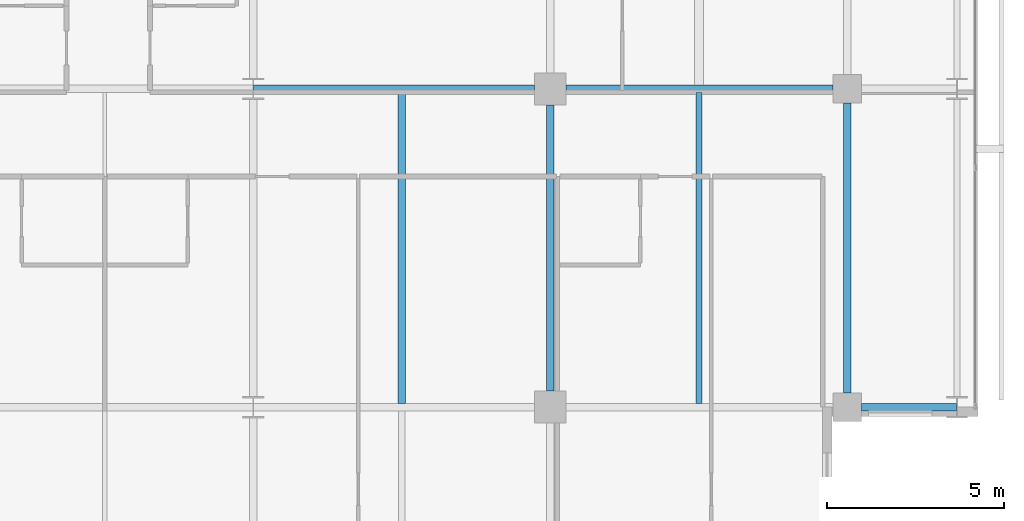
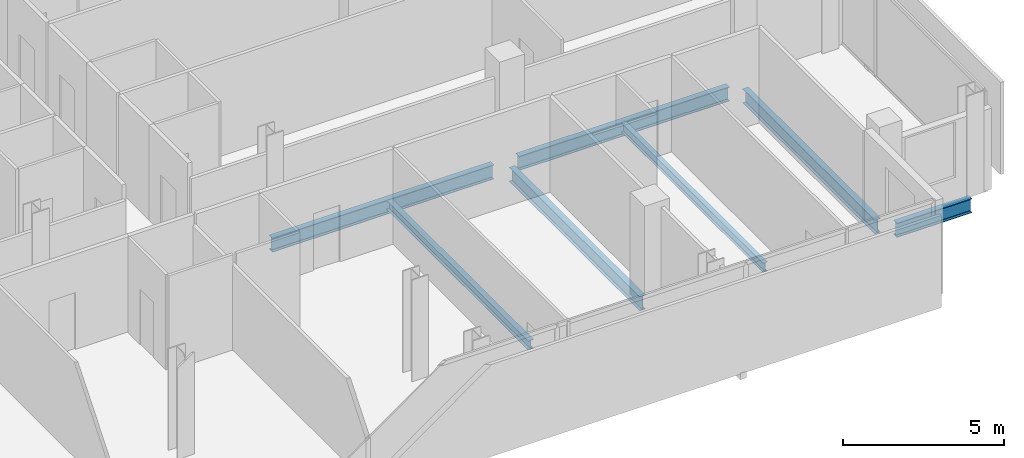
# One storey, part 14 of 34: 7 beams.
"""IFC4 building model written with IfcOpenShell, lengths in metres."""

from ifc_helpers import new_model, si_unit, direction, frame, origin, origin_2d, place, context, subcontext, project, spatial, i_section, extrude, material, material_profile, profile_set, type_object, element, save


model = new_model("IFC4")

# Units and contexts
model_context = context("Model", 3, precision=1e-05, world=origin(), true_north=direction((0.0, 1.0)))
body_context = subcontext(model_context, "Body", "Model", "MODEL_VIEW")
ifc_project = project(units=[si_unit("LENGTHUNIT", "METRE"), si_unit("AREAUNIT", "SQUARE_METRE"), si_unit("VOLUMEUNIT", "CUBIC_METRE"), si_unit("PLANEANGLEUNIT", "RADIAN"), si_unit("MASSUNIT", "GRAM", prefix="KILO")], contexts=[model_context])

# Site, building, storey
site_placement = place(None, origin())
site = spatial("IfcSite", under=ifc_project, at=site_placement, CompositionType="ELEMENT")
building_placement = place(site_placement, origin())
building = spatial("IfcBuilding", under=site, at=building_placement, Name="Maruvema Waterfront Hotel and Observation Tower", CompositionType="ELEMENT")
storey_placement = place(building_placement, frame((0.0, 0.0, 208.25)))
storey = spatial("IfcBuildingStorey", under=building, at=storey_placement, Name="L51", CompositionType="ELEMENT", Elevation=208.25)

# Beams
ifc_material_1 = material(Name="Steel ASTM A572 Grade 50", Category="steel")
ifc_material_profile_1 = material_profile(ifc_material_1, i_section(OverallWidth=0.2109375, OverallDepth=0.5390625, WebThickness=0.01171875, FlangeThickness=0.018798828125, FilletRadius=0.014892578125, at=origin_2d()), Name="W530x109.0")
ifc_profile_set_1 = profile_set([ifc_material_profile_1], Name="Steel ASTM A572 Grade 50")
beam_type_1 = type_object("IfcBeamType", Name="Primary Floor Girder W530x109.0", PredefinedType="BEAM", material=ifc_profile_set_1)
beam_1_placement = place(storey_placement, frame((59.199951171875, 9.0, -0.509521484375), z_axis=(1.0, 0.0, 0.0), x_axis=(0.0, 1.0, 0.0)))
element("IfcBeam", 1, at=beam_1_placement, inside=storey, type_object=beam_type_1, Name="L51 Floor Girder EW-10", PredefinedType="BEAM", context=body_context, shape_type="SweptSolid", body=[
    extrude(i_section(OverallWidth=0.2109375, OverallDepth=0.5390625, WebThickness=0.01171875, FlangeThickness=0.018798828125, FilletRadius=0.014892578125, at=origin_2d()), origin(), (0.0, 0.0, 1.0), 2.6875),
])
beam_2_placement = place(storey_placement, frame((42.012451171875, 18.0, -0.509521484375), z_axis=(1.0, 0.0, 0.0), x_axis=(0.0, 1.0, 0.0)))
element("IfcBeam", 2, at=beam_2_placement, inside=storey, type_object=beam_type_1, Name="L51 Floor Girder EW-15", PredefinedType="BEAM", context=body_context, shape_type="SweptSolid", body=[
    extrude(i_section(OverallWidth=0.2109375, OverallDepth=0.5390625, WebThickness=0.01171875, FlangeThickness=0.018798828125, FilletRadius=0.014892578125, at=origin_2d()), origin(), (0.0, 0.0, 1.0), 7.9375),
])
beam_3_placement = place(storey_placement, frame((50.85009765625, 18.0, -0.509521484375), z_axis=(1.0, 0.0, 0.0), x_axis=(0.0, 1.0, 0.0)))
element("IfcBeam", 3, at=beam_3_placement, inside=storey, type_object=beam_type_1, Name="L51 Floor Girder EW-16", PredefinedType="BEAM", context=body_context, shape_type="SweptSolid", body=[
    extrude(i_section(OverallWidth=0.2109375, OverallDepth=0.5390625, WebThickness=0.01171875, FlangeThickness=0.018798828125, FilletRadius=0.014892578125, at=origin_2d()), origin(), (0.0, 0.0, 1.0), 7.5498046875),
])
beam_4_placement = place(storey_placement, frame((50.39990234375, 9.449951171875, -0.509521484375), z_axis=(0.0, 1.0, 0.0), x_axis=(-1.0, 0.0, 0.0)))
element("IfcBeam", 4, at=beam_4_placement, inside=storey, type_object=beam_type_1, Name="L51 Floor Girder NS-21", PredefinedType="BEAM", context=body_context, shape_type="SweptSolid", body=[
    extrude(i_section(OverallWidth=0.2109375, OverallDepth=0.5390625, WebThickness=0.01171875, FlangeThickness=0.018798828125, FilletRadius=0.014892578125, at=origin_2d()), origin(), (0.0, 0.0, 1.0), 8.10009765625),
])
beam_5_placement = place(storey_placement, frame((58.800048828125, 9.39990234375, -0.509521484375), z_axis=(0.0, 1.0, 0.0), x_axis=(-1.0, 0.0, 0.0)))
element("IfcBeam", 5, at=beam_5_placement, inside=storey, type_object=beam_type_1, Name="L51 Floor Girder NS-25", PredefinedType="BEAM", context=body_context, shape_type="SweptSolid", body=[
    extrude(i_section(OverallWidth=0.2109375, OverallDepth=0.5390625, WebThickness=0.01171875, FlangeThickness=0.018798828125, FilletRadius=0.014892578125, at=origin_2d()), origin(), (0.0, 0.0, 1.0), 8.2001953125),
])
ifc_material_2 = material(Name="Steel ASTM A572 Grade 50", Category="steel")
ifc_material_profile_2 = material_profile(ifc_material_2, i_section(OverallWidth=0.1708984375, OverallDepth=0.35498046875, WebThickness=0.007080078125, FlangeThickness=0.01171875, FilletRadius=0.014892578125, at=origin_2d()), Name="W360x51.0")
ifc_profile_set_2 = profile_set([ifc_material_profile_2], Name="Steel ASTM A572 Grade 50")
beam_type_2 = type_object("IfcBeamType", Name="Secondary Floor Joist W360x51.0", PredefinedType="JOIST", material=ifc_profile_set_2)
beam_6_placement = place(storey_placement, frame((54.60009765625, 9.10546875, -0.41748046875), z_axis=(0.0, 1.0, 0.0), x_axis=(-1.0, 0.0, 0.0)))
element("IfcBeam", 6, at=beam_6_placement, inside=storey, type_object=beam_type_2, Name="L51 Secondary Floor Joist JS-11", PredefinedType="JOIST", context=body_context, shape_type="SweptSolid", body=[
    extrude(i_section(OverallWidth=0.1708984375, OverallDepth=0.35498046875, WebThickness=0.007080078125, FlangeThickness=0.01171875, FilletRadius=0.014892578125, at=origin_2d()), origin(), (0.0, 0.0, 1.0), 8.7890625),
])
ifc_material_3 = material(Name="Steel ASTM A572 Grade 50", Category="steel")
ifc_material_profile_3 = material_profile(ifc_material_3, i_section(OverallWidth=0.202880859375, OverallDepth=0.346923828125, WebThickness=0.0078125, FlangeThickness=0.013427734375, FilletRadius=0.014892578125, at=origin_2d()), Name="W360x64.0")
ifc_profile_set_3 = profile_set([ifc_material_profile_3], Name="Steel ASTM A572 Grade 50")
beam_type_3 = type_object("IfcBeamType", Name="Secondary Floor Joist W360x64.0", PredefinedType="JOIST", material=ifc_profile_set_3)
beam_7_placement = place(storey_placement, frame((46.199951171875, 9.10546875, -0.41357421875), z_axis=(0.0, 1.0, 0.0), x_axis=(-1.0, 0.0, 0.0)))
element("IfcBeam", 7, at=beam_7_placement, inside=storey, type_object=beam_type_3, Name="L51 Secondary Floor Joist JS-10", PredefinedType="JOIST", context=body_context, shape_type="SweptSolid", body=[
    extrude(i_section(OverallWidth=0.202880859375, OverallDepth=0.346923828125, WebThickness=0.0078125, FlangeThickness=0.013427734375, FilletRadius=0.014892578125, at=origin_2d()), origin(), (0.0, 0.0, 1.0), 8.7890625),
])

save(model, "model.ifc")
